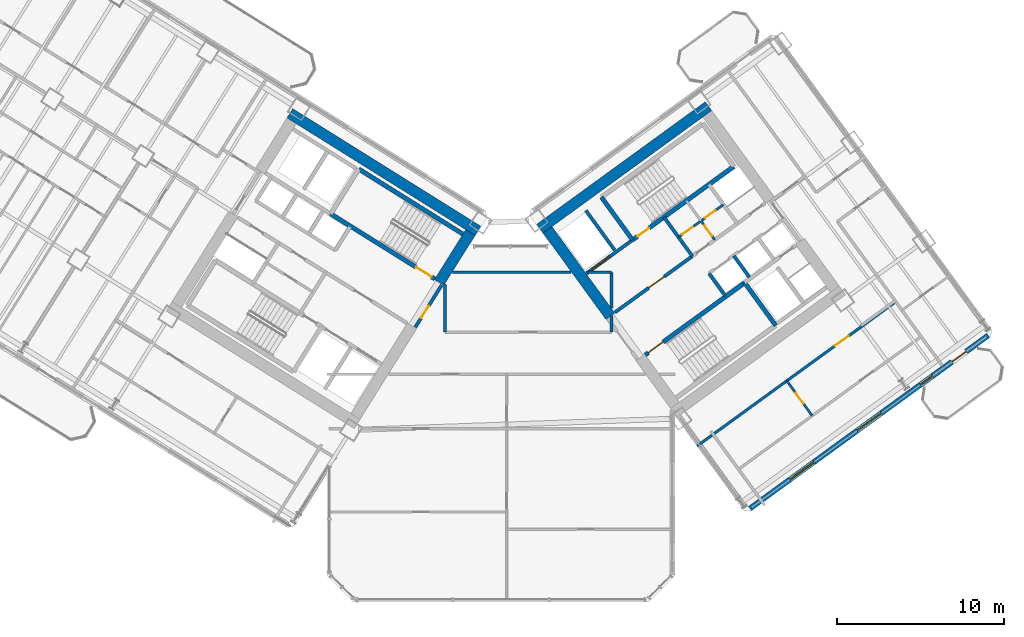
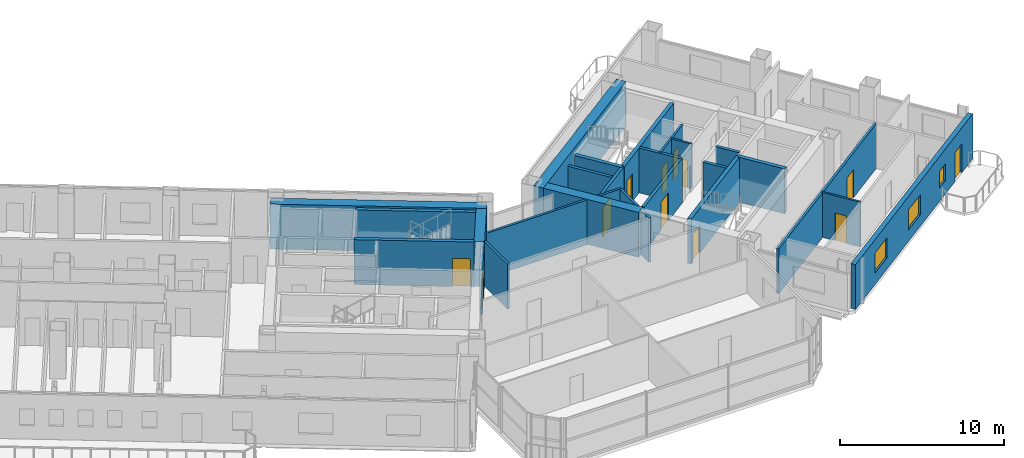
# One storey, part 18 of 28: 27 walls, 12 doors, 3 windows, 15 openings.
"""IFC4 building model written with IfcOpenShell, lengths in metres."""

from ifc_helpers import new_model, si_unit, direction, frame, frame_2d, origin, place, context, subcontext, project, spatial, rectangle, extrude, source, transform, mapped, material, layer, layer_set, type_object, element, fill, save


model = new_model("IFC4")

# Units and contexts
model_context = context("Model", 3, precision=1e-05, world=origin(), true_north=direction((0.0, 1.0)))
body_context = subcontext(model_context, "Body", "Model", "MODEL_VIEW")
ifc_project = project(units=[si_unit("LENGTHUNIT", "METRE"), si_unit("AREAUNIT", "SQUARE_METRE"), si_unit("VOLUMEUNIT", "CUBIC_METRE"), si_unit("PLANEANGLEUNIT", "RADIAN"), si_unit("MASSUNIT", "GRAM", prefix="KILO")], contexts=[model_context])

# Site, building, storey
site_placement = place(None, origin())
site = spatial("IfcSite", under=ifc_project, at=site_placement, CompositionType="ELEMENT")
building_placement = place(site_placement, origin())
building = spatial("IfcBuilding", under=site, at=building_placement, Name="Tlacorven Tower", CompositionType="ELEMENT")
storey_placement = place(building_placement, frame((0.0, 0.0, 63.60009765625)))
storey = spatial("IfcBuildingStorey", under=building, at=storey_placement, Name="L16", CompositionType="ELEMENT", Elevation=63.60009765625)

# Walls
ifc_material_1 = material(Name="Concrete C60/75", Category="concrete")
ifc_layer_1 = layer(ifc_material_1, 0.64990234375)
ifc_layer_set_1 = layer_set([ifc_layer_1], Name="Concrete C60/75")
wall_type_1 = type_object("IfcWallType", Name="WL-COR-650", PredefinedType="SHEAR", material=ifc_layer_set_1)
wall_1_placement = place(storey_placement, frame((40.615478515625, 23.9833984375, 0.0), z_axis=(0.0, 0.0, 1.0), x_axis=(-0.848045953968, 0.529922692436, 0.0)))
element("IfcWall", 1, at=wall_1_placement, inside=storey, type_object=wall_type_1, Name="L16 W core shear wall S1", PredefinedType="SHEAR", context=body_context, shape_type="SweptSolid", body=[
    extrude(rectangle(XDim=13.239990234375, YDim=0.64990234375, at=frame_2d((6.6201171875, 0.0))), origin(), (0.0, 0.0, 1.0), 3.349853515625),
])
wall_2_placement = place(storey_placement, frame((40.167724609375, 23.880126953125, 0.0), z_axis=(0.0, 0.0, 1.0), x_axis=(-0.529893103397, -0.8480644427, 0.0)))
element("IfcWall", 2, at=wall_2_placement, inside=storey, type_object=wall_type_1, Name="L16 W core end wall E1.1", PredefinedType="SHEAR", context=body_context, shape_type="SweptSolid", body=[
    extrude(rectangle(XDim=3.525146484375, YDim=0.64990234375, at=frame_2d((1.7626953125, 0.0))), origin(), (0.0, 0.0, 1.0), 3.349853515625),
])
wall_3_placement = place(storey_placement, frame((44.32470703125, 24.113037109375, 0.0), z_axis=(0.0, 0.0, 1.0), x_axis=(0.809012664862, 0.58779121131, 0.0)))
element("IfcWall", 3, at=wall_3_placement, inside=storey, type_object=wall_type_1, Name="L16 E core shear wall S2", PredefinedType="SHEAR", context=body_context, shape_type="SweptSolid", body=[
    extrude(rectangle(XDim=12.439697265625, YDim=0.64990234375, at=frame_2d((6.2197265625, 0.0))), origin(), (0.0, 0.0, 1.0), 3.349853515625),
])
wall_4_placement = place(storey_placement, frame((48.525634765625, 18.883544921875, 0.0), z_axis=(0.0, 0.0, 1.0), x_axis=(-0.58777996584, 0.809020835181, 0.0)))
element("IfcWall", 4, at=wall_4_placement, inside=storey, type_object=wall_type_1, Name="L16 E core end wall E1.2", PredefinedType="SHEAR", context=body_context, shape_type="SweptSolid", body=[
    extrude(rectangle(XDim=6.375, YDim=0.64990234375, at=frame_2d((3.1875, 0.0))), origin(), (0.0, 0.0, 1.0), 3.349853515625),
])
ifc_material_2 = material(Name="Gypsum plasterboard acoustic partition", Category="gypsum")
ifc_layer_2 = layer(ifc_material_2, 0.159912109375)
ifc_layer_set_2 = layer_set([ifc_layer_2], Name="Gypsum plasterboard acoustic partition")
wall_type_2 = type_object("IfcWallType", Name="WL-DEM-160", PredefinedType="PARTITIONING", material=ifc_layer_set_2)
wall_5_placement = place(storey_placement, frame((38.64990234375, 17.929931640625, 0.0), z_axis=(0.0, 0.0, 1.0), x_axis=(0.0, 1.0, 0.0)))
element("IfcWall", 5, at=wall_5_placement, inside=storey, type_object=wall_type_2, Name="L16 partition 80", PredefinedType="PARTITIONING", context=body_context, shape_type="SweptSolid", body=[
    extrude(rectangle(XDim=2.85693359375, YDim=0.159912109375, at=frame_2d((1.428466796875, 0.0))), origin(), (0.0, 0.0, 1.0), 3.33984375),
])
wall_6_placement = place(storey_placement, frame((48.60009765625, 17.929931640625, 0.0), z_axis=(0.0, 0.0, 1.0), x_axis=(0.0, 1.0, 0.0)))
element("IfcWall", 6, at=wall_6_placement, inside=storey, type_object=wall_type_2, Name="L16 partition 81", PredefinedType="PARTITIONING", context=body_context, shape_type="SweptSolid", body=[
    extrude(rectangle(XDim=0.99267578125, YDim=0.159912109375, at=frame_2d((0.496337890625, 0.0))), origin(), (0.0, 0.0, 1.0), 3.33984375),
])
wall_7_placement = place(storey_placement, frame((48.60009765625, 19.380126953125, 0.0), z_axis=(0.0, 0.0, 1.0), x_axis=(0.0, 1.0, 0.0)))
element("IfcWall", 7, at=wall_7_placement, inside=storey, type_object=wall_type_2, Name="L16 partition 81", PredefinedType="PARTITIONING", context=body_context, shape_type="SweptSolid", body=[
    extrude(rectangle(XDim=2.119873046875, YDim=0.159912109375, at=frame_2d((1.06005859375, 0.0))), origin(), (0.0, 0.0, 1.0), 3.33984375),
])
wall_8_placement = place(storey_placement, frame((39.095458984375, 21.5, 0.0), z_axis=(0.0, 0.0, 1.0), x_axis=(1.0, 0.0, 0.0)))
element("IfcWall", 8, at=wall_8_placement, inside=storey, type_object=wall_type_2, Name="L16 partition 82", PredefinedType="PARTITIONING", context=body_context, shape_type="SweptSolid", body=[
    extrude(rectangle(XDim=7.09423828125, YDim=0.159912109375, at=frame_2d((3.547119140625, 0.0))), origin(), (0.0, 0.0, 1.0), 3.33984375),
])
wall_9_placement = place(storey_placement, frame((47.059814453125, 21.5, 0.0), z_axis=(0.0, 0.0, 1.0), x_axis=(1.0, 0.0, 0.0)))
element("IfcWall", 9, at=wall_9_placement, inside=storey, type_object=wall_type_2, Name="L16 partition 82", PredefinedType="PARTITIONING", context=body_context, shape_type="SweptSolid", body=[
    extrude(rectangle(XDim=1.540283203125, YDim=0.159912109375, at=frame_2d((0.77001953125, 0.0))), origin(), (0.0, 0.0, 1.0), 3.33984375),
])

# Wall, opening, door
wall_10_placement = place(storey_placement, frame((53.70458984375, 11.1259765625, 0.0), z_axis=(0.0, 0.0, 1.0), x_axis=(0.809014504436, 0.587788679384, 0.0)))
wall_10 = element("IfcWall", 10, at=wall_10_placement, inside=storey, type_object=wall_type_2, Name="L16 partition 98", PredefinedType="PARTITIONING", context=body_context, shape_type="SweptSolid", body=[
    extrude(rectangle(XDim=14.669921875, YDim=0.159912109375, at=frame_2d((7.3349609375, 0.0))), origin(), (0.0, 0.0, 1.0), 3.33984375),
])
opening_1_placement = place(wall_10_placement, frame((10.199951171875, 0.0, 0.0)))
opening_1 = element("IfcOpeningElement", 11, at=opening_1_placement, cuts=wall_10, Name="Opening D11", PredefinedType="OPENING", context=body_context, shape_type="SweptSolid", body=[
    extrude(rectangle(XDim=1.0, YDim=2.10009765625, at=frame_2d((0.5, 1.050048828125))), frame((0.0, 0.08984375, 0.0), z_axis=(0.0, -1.0, 0.0), x_axis=(1.0, 0.0, 0.0)), (0.0, 0.0, 1.0), 0.179931640625),
])
ifc_material_3 = material(Name="Fire-rated steel door assembly", Category="steel")
door_type_1 = type_object("IfcDoorType", Name="DR-FLT-FD60-1000", OperationType="NOTDEFINED", PredefinedType="DOOR", material=ifc_material_3)
shared_shape_1 = source(origin(), body_context, "Body", "SweptSolid", [
    extrude(rectangle(XDim=1.0, YDim=2.10009765625, at=frame_2d((0.5, 1.050048828125))), frame((0.0, 0.02490234375, 0.0), z_axis=(0.0, -1.0, 0.0), x_axis=(1.0, 0.0, 0.0)), (0.0, 0.0, 1.0), 0.050048828125),
])
door_1_placement = place(opening_1_placement, origin())
door_1 = element("IfcDoor", 12, at=door_1_placement, inside=storey, type_object=door_type_1, Name="L16 door 059", OperationType="SINGLE_SWING_LEFT", OverallHeight=2.10009765625, OverallWidth=1.0, PredefinedType="DOOR", context=body_context, shape_type="MappedRepresentation", body=[
    mapped(shared_shape_1, transform((0.0, 0.0, 0.0), scale=1.0)),
])
fill(opening_1, door_1)

# Wall, openings, door, windows
ifc_material_4 = material(Name="Precast concrete C45/55", Category="concrete")
ifc_layer_3 = layer(ifc_material_4, 0.320068359375)
ifc_layer_set_3 = layer_set([ifc_layer_3], Name="Precast concrete C45/55")
wall_type_3 = type_object("IfcWallType", Name="WL-EXT-320", PredefinedType="STANDARD", material=ifc_layer_set_3)
wall_11_placement = place(storey_placement, frame((71.097900390625, 17.73095703125, 0.0), z_axis=(0.0, 0.0, 1.0), x_axis=(-0.809021120468, -0.587779573171, 0.0)))
wall_11 = element("IfcWall", 13, at=wall_11_placement, inside=storey, type_object=wall_type_3, Name="L16 Masonry-Frame Recessed Facade Wall 6", PredefinedType="STANDARD", context=body_context, shape_type="SweptSolid", body=[
    extrude(rectangle(XDim=17.587646484375, YDim=0.320068359375, at=frame_2d((8.7939453125, 0.0))), origin(), (0.0, 0.0, 1.0), 3.349853515625),
])
opening_2_placement = place(wall_11_placement, frame((1.623779296875, 0.0, 0.0)))
opening_2 = element("IfcOpeningElement", 14, at=opening_2_placement, cuts=wall_11, Name="Opening D06", PredefinedType="OPENING", context=body_context, shape_type="SweptSolid", body=[
    extrude(rectangle(XDim=1.050048828125, YDim=2.14990234375, at=frame_2d((0.52490234375, 1.074951171875))), frame((0.0, 0.169921875, 0.0), z_axis=(0.0, -1.0, 0.0), x_axis=(1.0, 0.0, 0.0)), (0.0, 0.0, 1.0), 0.340087890625),
])
opening_3_placement = place(wall_11_placement, frame((4.103759765625, 0.0, 1.0)))
opening_3 = element("IfcOpeningElement", 15, at=opening_3_placement, cuts=wall_11, Name="Opening WN05", PredefinedType="OPENING", context=body_context, shape_type="SweptSolid", body=[
    extrude(rectangle(XDim=0.89990234375, YDim=1.25, at=frame_2d((0.449951171875, 0.625))), frame((0.0, 0.169921875, 0.0), z_axis=(0.0, -1.0, 0.0), x_axis=(1.0, 0.0, 0.0)), (0.0, 0.0, 1.0), 0.340087890625),
])
opening_4_placement = place(wall_11_placement, frame((7.878662109375, 0.0, 0.85009765625)))
opening_4 = element("IfcOpeningElement", 16, at=opening_4_placement, cuts=wall_11, Name="Opening WN01", PredefinedType="OPENING", context=body_context, shape_type="SweptSolid", body=[
    extrude(rectangle(XDim=1.800048828125, YDim=1.5, at=frame_2d((0.89990234375, 0.75))), frame((0.0, 0.169921875, 0.0), z_axis=(0.0, -1.0, 0.0), x_axis=(1.0, 0.0, 0.0)), (0.0, 0.0, 1.0), 0.340087890625),
])
opening_5_placement = place(wall_11_placement, frame((12.8486328125, 0.0, 0.85009765625)))
opening_5 = element("IfcOpeningElement", 17, at=opening_5_placement, cuts=wall_11, Name="Opening WN01", PredefinedType="OPENING", context=body_context, shape_type="SweptSolid", body=[
    extrude(rectangle(XDim=1.800048828125, YDim=1.5, at=frame_2d((0.89990234375, 0.75))), frame((0.0, 0.169921875, 0.0), z_axis=(0.0, -1.0, 0.0), x_axis=(1.0, 0.0, 0.0)), (0.0, 0.0, 1.0), 0.340087890625),
])
ifc_material_5 = material(Name="Powder-coated aluminium and timber door", Category="wood")
door_type_2 = type_object("IfcDoorType", Name="DR-EXT-BALC-1050", OperationType="NOTDEFINED", PredefinedType="DOOR", material=ifc_material_5)
shared_shape_2 = source(origin(), body_context, "Body", "SweptSolid", [
    extrude(rectangle(XDim=1.050048828125, YDim=2.14990234375, at=frame_2d((0.52490234375, 1.074951171875))), frame((0.0, 0.02490234375, 0.0), z_axis=(0.0, -1.0, 0.0), x_axis=(1.0, 0.0, 0.0)), (0.0, 0.0, 1.0), 0.050048828125),
])
door_2_placement = place(opening_2_placement, origin())
door_2 = element("IfcDoor", 18, at=door_2_placement, inside=storey, type_object=door_type_2, Name="L16 Outdoor Access Door BAL-L16-E-OUT", OperationType="SINGLE_SWING_LEFT", OverallHeight=2.14990234375, OverallWidth=1.050048828125, PredefinedType="DOOR", context=body_context, shape_type="MappedRepresentation", body=[
    mapped(shared_shape_2, transform((0.0, 0.0, 0.0), scale=1.0)),
])
fill(opening_2, door_2)
ifc_material_6 = material(Name="Dark solar low-E double glazing in anodised aluminium frame", Category="aluminium")
window_type_1 = type_object("IfcWindowType", Name="WN-APT-1800X1650", PartitioningType="SINGLE_PANEL", PredefinedType="WINDOW", material=ifc_material_6)
shared_shape_3 = source(origin(), body_context, "Body", "SweptSolid", [
    extrude(rectangle(XDim=1.800048828125, YDim=1.5, at=frame_2d((0.89990234375, 0.75))), frame((0.0, 0.030029296875, 0.0), z_axis=(0.0, -1.0, 0.0), x_axis=(1.0, 0.0, 0.0)), (0.0, 0.0, 1.0), 0.06005859375),
])
window_1_placement = place(opening_4_placement, origin())
window_1 = element("IfcWindow", 19, at=window_1_placement, inside=storey, type_object=window_type_1, Name="L16 Recessed Masonry-Frame Window L16-06.2", OverallHeight=1.5, OverallWidth=1.800048828125, PartitioningType="SINGLE_PANEL", PredefinedType="WINDOW", context=body_context, shape_type="MappedRepresentation", body=[
    mapped(shared_shape_3, transform((0.0, 0.0, 0.0), scale=1.0)),
])
fill(opening_4, window_1)
window_2_placement = place(opening_5_placement, origin())
window_2 = element("IfcWindow", 20, at=window_2_placement, inside=storey, type_object=window_type_1, Name="L16 Recessed Masonry-Frame Window L16-06.3", OverallHeight=1.5, OverallWidth=1.800048828125, PartitioningType="SINGLE_PANEL", PredefinedType="WINDOW", context=body_context, shape_type="MappedRepresentation", body=[
    mapped(shared_shape_3, transform((0.0, 0.0, 0.0), scale=1.0)),
])
fill(opening_5, window_2)
window_type_2 = type_object("IfcWindowType", Name="WN-APT-0900X1350", PartitioningType="SINGLE_PANEL", PredefinedType="WINDOW", material=ifc_material_6)
shared_shape_4 = source(origin(), body_context, "Body", "SweptSolid", [
    extrude(rectangle(XDim=0.89990234375, YDim=1.25, at=frame_2d((0.449951171875, 0.625))), frame((0.0, 0.030029296875, 0.0), z_axis=(0.0, -1.0, 0.0), x_axis=(1.0, 0.0, 0.0)), (0.0, 0.0, 1.0), 0.06005859375),
])
window_3_placement = place(opening_3_placement, origin())
window_3 = element("IfcWindow", 21, at=window_3_placement, inside=storey, type_object=window_type_2, Name="L16 Recessed Masonry-Frame Window L16-06.1", OverallHeight=1.25, OverallWidth=0.89990234375, PartitioningType="SINGLE_PANEL", PredefinedType="WINDOW", context=body_context, shape_type="MappedRepresentation", body=[
    mapped(shared_shape_4, transform((0.0, 0.0, 0.0), scale=1.0)),
])
fill(opening_3, window_3)

# Wall, opening, door
ifc_material_7 = material(Name="Moisture-resistant gypsum plumbing wall", Category="gypsum")
ifc_layer_4 = layer(ifc_material_7, 0.139892578125)
ifc_layer_set_4 = layer_set([ifc_layer_4], Name="Moisture-resistant gypsum plumbing wall")
wall_type_4 = type_object("IfcWallType", Name="WL-PLM-140", PredefinedType="PLUMBINGWALL", material=ifc_layer_set_4)
wall_12_placement = place(storey_placement, frame((54.767578125, 23.443359375, 0.0), z_axis=(0.0, 0.0, 1.0), x_axis=(-0.587736077749, 0.809052719489, 0.0)))
wall_12 = element("IfcWall", 22, at=wall_12_placement, inside=storey, type_object=wall_type_4, Name="L16 partition 46", PredefinedType="PLUMBINGWALL", context=body_context, shape_type="SweptSolid", body=[
    extrude(rectangle(XDim=1.39990234375, YDim=0.139892578125, at=frame_2d((0.699951171875, 0.0))), origin(), (0.0, 0.0, 1.0), 3.33984375),
])
opening_6_placement = place(wall_12_placement, frame((0.280029296875, 0.0, 0.0)))
opening_6 = element("IfcOpeningElement", 23, at=opening_6_placement, cuts=wall_12, Name="Opening D22", PredefinedType="OPENING", context=body_context, shape_type="SweptSolid", body=[
    extrude(rectangle(XDim=0.780029296875, YDim=2.050048828125, at=frame_2d((0.39013671875, 1.02490234375))), frame((0.0, 0.080078125, 0.0), z_axis=(0.0, -1.0, 0.0), x_axis=(1.0, 0.0, 0.0)), (0.0, 0.0, 1.0), 0.159912109375),
])
door_type_3 = type_object("IfcDoorType", Name="DR-INT-WET-0780", OperationType="NOTDEFINED", PredefinedType="DOOR", material=ifc_material_5)
shared_shape_5 = source(origin(), body_context, "Body", "SweptSolid", [
    extrude(rectangle(XDim=0.780029296875, YDim=2.050048828125, at=frame_2d((0.39013671875, 1.02490234375))), frame((0.0, 0.02490234375, 0.0), z_axis=(0.0, -1.0, 0.0), x_axis=(1.0, 0.0, 0.0)), (0.0, 0.0, 1.0), 0.050048828125),
])
door_3_placement = place(opening_6_placement, origin())
door_3 = element("IfcDoor", 24, at=door_3_placement, inside=storey, type_object=door_type_3, Name="L16 door 019", OperationType="SINGLE_SWING_RIGHT", OverallHeight=2.050048828125, OverallWidth=0.780029296875, PredefinedType="DOOR", context=body_context, shape_type="MappedRepresentation", body=[
    mapped(shared_shape_5, transform((0.0, 0.0, 0.0), scale=1.0)),
])
fill(opening_6, door_3)

# Wall, openings, doors
wall_13_placement = place(storey_placement, frame((52.617919921875, 23.612060546875, 0.0), z_axis=(0.0, 0.0, 1.0), x_axis=(0.809009587469, 0.587795446889, 0.0)))
wall_13 = element("IfcWall", 25, at=wall_13_placement, inside=storey, type_object=wall_type_4, Name="L16 partition 48", PredefinedType="PLUMBINGWALL", context=body_context, shape_type="SweptSolid", body=[
    extrude(rectangle(XDim=3.280029296875, YDim=0.139892578125, at=frame_2d((1.64013671875, 0.0))), origin(), (0.0, 0.0, 1.0), 3.33984375),
])
opening_7_placement = place(wall_13_placement, frame((0.25, 0.0, 0.0)))
opening_7 = element("IfcOpeningElement", 26, at=opening_7_placement, cuts=wall_13, Name="Opening D22", PredefinedType="OPENING", context=body_context, shape_type="SweptSolid", body=[
    extrude(rectangle(XDim=0.780029296875, YDim=2.050048828125, at=frame_2d((0.39013671875, 1.02490234375))), frame((0.0, 0.080078125, 0.0), z_axis=(0.0, -1.0, 0.0), x_axis=(1.0, 0.0, 0.0)), (0.0, 0.0, 1.0), 0.159912109375),
])
opening_8_placement = place(wall_13_placement, frame((1.919921875, 0.0, 0.0)))
opening_8 = element("IfcOpeningElement", 27, at=opening_8_placement, cuts=wall_13, Name="Opening D22", PredefinedType="OPENING", context=body_context, shape_type="SweptSolid", body=[
    extrude(rectangle(XDim=0.780029296875, YDim=2.050048828125, at=frame_2d((0.39013671875, 1.02490234375))), frame((0.0, 0.080078125, 0.0), z_axis=(0.0, -1.0, 0.0), x_axis=(1.0, 0.0, 0.0)), (0.0, 0.0, 1.0), 0.159912109375),
])
door_4_placement = place(opening_7_placement, origin())
door_4 = element("IfcDoor", 28, at=door_4_placement, inside=storey, type_object=door_type_3, Name="L16 door 020", OperationType="SINGLE_SWING_LEFT", OverallHeight=2.050048828125, OverallWidth=0.780029296875, PredefinedType="DOOR", context=body_context, shape_type="MappedRepresentation", body=[
    mapped(shared_shape_5, transform((0.0, 0.0, 0.0), scale=1.0)),
])
fill(opening_7, door_4)
door_5_placement = place(opening_8_placement, origin())
door_5 = element("IfcDoor", 29, at=door_5_placement, inside=storey, type_object=door_type_3, Name="L16 door 021", OperationType="SINGLE_SWING_RIGHT", OverallHeight=2.050048828125, OverallWidth=0.780029296875, PredefinedType="DOOR", context=body_context, shape_type="MappedRepresentation", body=[
    mapped(shared_shape_5, transform((0.0, 0.0, 0.0), scale=1.0)),
])
fill(opening_8, door_5)

# Wall, opening, door
wall_14_placement = place(storey_placement, frame((60.584716796875, 12.935791015625, 0.0), z_axis=(0.0, 0.0, 1.0), x_axis=(-0.587772116736, 0.809026537752, 0.0)))
wall_14 = element("IfcWall", 30, at=wall_14_placement, inside=storey, type_object=wall_type_4, Name="L16 partition 101", PredefinedType="PLUMBINGWALL", context=body_context, shape_type="SweptSolid", body=[
    extrude(rectangle(XDim=2.579833984375, YDim=0.139892578125, at=frame_2d((1.2900390625, 0.0))), origin(), (0.0, 0.0, 1.0), 3.33984375),
])
opening_9_placement = place(wall_14_placement, frame((0.89990234375, 0.0, 0.0)))
opening_9 = element("IfcOpeningElement", 31, at=opening_9_placement, cuts=wall_14, Name="Opening D22", PredefinedType="OPENING", context=body_context, shape_type="SweptSolid", body=[
    extrude(rectangle(XDim=0.780029296875, YDim=2.050048828125, at=frame_2d((0.39013671875, 1.02490234375))), frame((0.0, 0.080078125, 0.0), z_axis=(0.0, -1.0, 0.0), x_axis=(1.0, 0.0, 0.0)), (0.0, 0.0, 1.0), 0.159912109375),
])
door_6_placement = place(opening_9_placement, origin())
door_6 = element("IfcDoor", 32, at=door_6_placement, inside=storey, type_object=door_type_3, Name="L16 door 061", OperationType="SINGLE_SWING_LEFT", OverallHeight=2.050048828125, OverallWidth=0.780029296875, PredefinedType="DOOR", context=body_context, shape_type="MappedRepresentation", body=[
    mapped(shared_shape_5, transform((0.0, 0.0, 0.0), scale=1.0)),
])
fill(opening_9, door_6)

ifc_material_8 = material(Name="Concrete C40/50", Category="concrete")
ifc_layer_5 = layer(ifc_material_8, 0.199951171875)
ifc_layer_set_5 = layer_set([ifc_layer_5], Name="Concrete C40/50")
wall_type_5 = type_object("IfcWallType", Name="WL-SHF-200", PredefinedType="STANDARD", material=ifc_layer_set_5)
wall_15_placement = place(storey_placement, frame((47.10595703125, 21.4365234375, 0.0), z_axis=(0.0, 0.0, 1.0), x_axis=(0.809012514015, 0.58779141893, 0.0)))
wall_15 = element("IfcWall", 33, at=wall_15_placement, inside=storey, type_object=wall_type_5, Name="L16 Core E Firefighting Lift Shaft Front Wall", PredefinedType="STANDARD", context=body_context, shape_type="SweptSolid", body=[
    extrude(rectangle(XDim=3.39794921875, YDim=0.199951171875, at=frame_2d((1.698974609375, 0.0))), origin(), (0.0, 0.0, 1.0), 3.33984375),
])
opening_10_placement = place(wall_15_placement, frame((0.407958984375, 0.0, 0.0)))
opening_10 = element("IfcOpeningElement", 34, at=opening_10_placement, cuts=wall_15, Name="Opening LD03", PredefinedType="OPENING", context=body_context, shape_type="SweptSolid", body=[
    extrude(rectangle(XDim=1.300048828125, YDim=2.199951171875, at=frame_2d((0.64990234375, 1.10009765625))), frame((0.0, 0.10986328125, 0.0), z_axis=(0.0, -1.0, 0.0), x_axis=(1.0, 0.0, 0.0)), (0.0, 0.0, 1.0), 0.219970703125),
])
door_type_4 = type_object("IfcDoorType", Name="DR-LFT-SLID-1300", OperationType="DOUBLE_DOOR_SLIDING", PredefinedType="DOOR", material=ifc_material_3)
shared_shape_6 = source(origin(), body_context, "Body", "SweptSolid", [
    extrude(rectangle(XDim=1.300048828125, YDim=2.199951171875, at=frame_2d((0.64990234375, 1.10009765625))), frame((0.0, 0.02490234375, 0.0), z_axis=(0.0, -1.0, 0.0), x_axis=(1.0, 0.0, 0.0)), (0.0, 0.0, 1.0), 0.050048828125),
])
door_7_placement = place(opening_10_placement, origin())
door_7 = element("IfcDoor", 35, at=door_7_placement, inside=storey, type_object=door_type_4, Name="L16 Lift FFL-E1 Sliding Landing Door", OperationType="DOUBLE_DOOR_SLIDING", OverallHeight=2.199951171875, OverallWidth=1.300048828125, PredefinedType="DOOR", context=body_context, shape_type="MappedRepresentation", body=[
    mapped(shared_shape_6, transform((0.0, 0.0, 0.0), scale=1.0)),
])
fill(opening_10, door_7)

wall_16_placement = place(storey_placement, frame((48.798828125, 19.106689453125, 0.0), z_axis=(0.0, 0.0, 1.0), x_axis=(0.809012959416, 0.587790805897, 0.0)))
wall_16 = element("IfcWall", 36, at=wall_16_placement, inside=storey, type_object=wall_type_5, Name="L16 Core E Smoke Lobby Wall", PredefinedType="STANDARD", context=body_context, shape_type="SweptSolid", body=[
    extrude(rectangle(XDim=5.7177734375, YDim=0.199951171875, at=frame_2d((2.85888671875, 0.0))), origin(), (0.0, 0.0, 1.0), 3.33984375),
])
opening_11_placement = place(wall_16_placement, frame((2.498046875, 0.0, 0.0)))
opening_11 = element("IfcOpeningElement", 37, at=opening_11_placement, cuts=wall_16, Name="Opening D09", PredefinedType="OPENING", context=body_context, shape_type="SweptSolid", body=[
    extrude(rectangle(XDim=1.14990234375, YDim=2.10009765625, at=frame_2d((0.574951171875, 1.050048828125))), frame((0.0, 0.10986328125, 0.0), z_axis=(0.0, -1.0, 0.0), x_axis=(1.0, 0.0, 0.0)), (0.0, 0.0, 1.0), 0.219970703125),
])
door_type_5 = type_object("IfcDoorType", Name="DR-FFL-FD60-1150", OperationType="NOTDEFINED", PredefinedType="DOOR", material=ifc_material_3)
shared_shape_7 = source(origin(), body_context, "Body", "SweptSolid", [
    extrude(rectangle(XDim=1.14990234375, YDim=2.10009765625, at=frame_2d((0.574951171875, 1.050048828125))), frame((0.0, 0.02490234375, 0.0), z_axis=(0.0, -1.0, 0.0), x_axis=(1.0, 0.0, 0.0)), (0.0, 0.0, 1.0), 0.050048828125),
])
door_8_placement = place(opening_11_placement, origin())
door_8 = element("IfcDoor", 38, at=door_8_placement, inside=storey, type_object=door_type_5, Name="L16 Firefighting Lobby E Fire Door", OperationType="SINGLE_SWING_RIGHT", OverallHeight=2.10009765625, OverallWidth=1.14990234375, PredefinedType="DOOR", context=body_context, shape_type="MappedRepresentation", body=[
    mapped(shared_shape_7, transform((0.0, 0.0, 0.0), scale=1.0)),
])
fill(opening_11, door_8)

# Walls
wall_17_placement = place(storey_placement, frame((55.390869140625, 20.1015625, 0.0), z_axis=(0.0, 0.0, 1.0), x_axis=(-0.58778447739, 0.809017557374, 0.0)))
element("IfcWall", 39, at=wall_17_placement, inside=storey, type_object=wall_type_5, Name="L16 partition 35", PredefinedType="STANDARD", context=body_context, shape_type="SweptSolid", body=[
    extrude(rectangle(XDim=1.64990234375, YDim=0.199951171875, at=frame_2d((0.824951171875, 0.0))), origin(), (0.0, 0.0, 1.0), 3.33984375),
])
wall_18_placement = place(storey_placement, frame((48.78564453125, 22.830078125, 0.0), z_axis=(0.0, 0.0, 1.0), x_axis=(-0.587783856777, 0.809018008275, 0.0)))
element("IfcWall", 40, at=wall_18_placement, inside=storey, type_object=wall_type_5, Name="L16 partition 36", PredefinedType="STANDARD", context=body_context, shape_type="SweptSolid", body=[
    extrude(rectangle(XDim=2.919921875, YDim=0.199951171875, at=frame_2d((1.4599609375, 0.0))), origin(), (0.0, 0.0, 1.0), 3.33984375),
])
wall_19_placement = place(storey_placement, frame((56.833984375, 21.211669921875, 0.0), z_axis=(0.0, 0.0, 1.0), x_axis=(-0.58776738483, 0.809029975545, 0.0)))
element("IfcWall", 41, at=wall_19_placement, inside=storey, type_object=wall_type_5, Name="L16 partition 37", PredefinedType="STANDARD", context=body_context, shape_type="SweptSolid", body=[
    extrude(rectangle(XDim=1.580078125, YDim=0.199951171875, at=frame_2d((0.7900390625, 0.0))), origin(), (0.0, 0.0, 1.0), 3.33984375),
])
wall_20_placement = place(storey_placement, frame((53.424560546875, 22.467529296875, 0.0), z_axis=(0.0, 0.0, 1.0), x_axis=(-0.5877230039, 0.809062216821, 0.0)))
element("IfcWall", 42, at=wall_20_placement, inside=storey, type_object=wall_type_5, Name="L16 partition 43", PredefinedType="STANDARD", context=body_context, shape_type="SweptSolid", body=[
    extrude(rectangle(XDim=2.8798828125, YDim=0.199951171875, at=frame_2d((1.43994140625, 0.0))), origin(), (0.0, 0.0, 1.0), 3.33984375),
])

# Wall, opening, door
wall_21_placement = place(storey_placement, frame((38.451416015625, 20.737060546875, 0.0), z_axis=(0.0, 0.0, 1.0), x_axis=(-0.529924799939, -0.848044637038, 0.0)))
wall_21 = element("IfcWall", 43, at=wall_21_placement, inside=storey, type_object=wall_type_5, Name="L16 partition 77", PredefinedType="STANDARD", context=body_context, shape_type="SweptSolid", body=[
    extrude(rectangle(XDim=2.9599609375, YDim=0.199951171875, at=frame_2d((1.47998046875, 0.0))), origin(), (0.0, 0.0, 1.0), 3.33984375),
])
opening_12_placement = place(wall_21_placement, frame((1.4599609375, 0.0, 0.0)))
opening_12 = element("IfcOpeningElement", 44, at=opening_12_placement, cuts=wall_21, Name="Opening D19", PredefinedType="OPENING", context=body_context, shape_type="SweptSolid", body=[
    extrude(rectangle(XDim=0.860107421875, YDim=2.050048828125, at=frame_2d((0.43017578125, 1.02490234375))), frame((0.0, 0.10986328125, 0.0), z_axis=(0.0, -1.0, 0.0), x_axis=(1.0, 0.0, 0.0)), (0.0, 0.0, 1.0), 0.219970703125),
])
door_type_6 = type_object("IfcDoorType", Name="DR-RSR-FD60-0860", OperationType="NOTDEFINED", PredefinedType="DOOR", material=ifc_material_3)
shared_shape_8 = source(origin(), body_context, "Body", "SweptSolid", [
    extrude(rectangle(XDim=0.860107421875, YDim=2.050048828125, at=frame_2d((0.43017578125, 1.02490234375))), frame((0.0, 0.02490234375, 0.0), z_axis=(0.0, -1.0, 0.0), x_axis=(1.0, 0.0, 0.0)), (0.0, 0.0, 1.0), 0.050048828125),
])
door_9_placement = place(opening_12_placement, frame((0.860107421875, 0.0, 0.0), z_axis=(0.0, 0.0, 1.0), x_axis=(-1.0, 0.0, 0.0)))
door_9 = element("IfcDoor", 45, at=door_9_placement, inside=storey, type_object=door_type_6, Name="L16 door 046", OperationType="SINGLE_SWING_LEFT", OverallHeight=2.050048828125, OverallWidth=0.860107421875, PredefinedType="DOOR", context=body_context, shape_type="MappedRepresentation", body=[
    mapped(shared_shape_8, transform((0.0, 0.0, 0.0), scale=1.0)),
])
fill(opening_12, door_9)

# Wall
ifc_material_9 = material(Name="Concrete C50/60", Category="concrete")
ifc_layer_6 = layer(ifc_material_9, 0.260009765625)
ifc_layer_set_6 = layer_set([ifc_layer_6], Name="Concrete C50/60")
wall_type_6 = type_object("IfcWallType", Name="WL-STW-260", PredefinedType="SHEAR", material=ifc_layer_set_6)
wall_22_placement = place(storey_placement, frame((39.720947265625, 23.787841796875, 0.0), z_axis=(0.0, 0.0, 1.0), x_axis=(-0.848054434086, 0.529909121291, 0.0)))
element("IfcWall", 46, at=wall_22_placement, inside=storey, type_object=wall_type_6, Name="L16 Stair W2 Far Shear Wall", PredefinedType="SHEAR", context=body_context, shape_type="SweptSolid", body=[
    extrude(rectangle(XDim=7.330078125, YDim=0.260009765625, at=frame_2d((3.6650390625, 0.0))), origin(), (0.0, 0.0, 1.0), 3.349853515625),
])

# Wall, opening, door
wall_23_placement = place(storey_placement, frame((38.04638671875, 21.10791015625, 0.0), z_axis=(0.0, 0.0, 1.0), x_axis=(-0.848054434086, 0.529909121291, 0.0)))
wall_23 = element("IfcWall", 47, at=wall_23_placement, inside=storey, type_object=wall_type_6, Name="L16 Stair W2 Lobby Shear Wall", PredefinedType="SHEAR", context=body_context, shape_type="SweptSolid", body=[
    extrude(rectangle(XDim=7.330078125, YDim=0.260009765625, at=frame_2d((3.6650390625, 0.0))), origin(), (0.0, 0.0, 1.0), 3.349853515625),
])
opening_13_placement = place(wall_23_placement, frame((0.219970703125, 0.0, 0.0)))
opening_13 = element("IfcOpeningElement", 48, at=opening_13_placement, cuts=wall_23, Name="Opening D07", PredefinedType="OPENING", context=body_context, shape_type="SweptSolid", body=[
    extrude(rectangle(XDim=1.10009765625, YDim=2.10009765625, at=frame_2d((0.550048828125, 1.050048828125))), frame((0.0, 0.14013671875, 0.0), z_axis=(0.0, -1.0, 0.0), x_axis=(1.0, 0.0, 0.0)), (0.0, 0.0, 1.0), 0.280029296875),
])
door_type_7 = type_object("IfcDoorType", Name="DR-STR-FD90-1100", OperationType="NOTDEFINED", PredefinedType="DOOR", material=ifc_material_3)
shared_shape_9 = source(origin(), body_context, "Body", "SweptSolid", [
    extrude(rectangle(XDim=1.10009765625, YDim=2.10009765625, at=frame_2d((0.550048828125, 1.050048828125))), frame((0.0, 0.02490234375, 0.0), z_axis=(0.0, -1.0, 0.0), x_axis=(1.0, 0.0, 0.0)), (0.0, 0.0, 1.0), 0.050048828125),
])
door_10_placement = place(opening_13_placement, origin())
door_10 = element("IfcDoor", 49, at=door_10_placement, inside=storey, type_object=door_type_7, Name="L16 Exit Stair W2 Fire Door", OperationType="SINGLE_SWING_LEFT", OverallHeight=2.10009765625, OverallWidth=1.10009765625, PredefinedType="DOOR", context=body_context, shape_type="MappedRepresentation", body=[
    mapped(shared_shape_9, transform((0.0, 0.0, 0.0), scale=1.0)),
])
fill(opening_13, door_10)

wall_24_placement = place(storey_placement, frame((49.863037109375, 23.439697265625, 0.0), z_axis=(0.0, 0.0, 1.0), x_axis=(0.809003474932, 0.587803859759, 0.0)))
wall_24 = element("IfcWall", 50, at=wall_24_placement, inside=storey, type_object=wall_type_6, Name="L16 Stair E1 Lobby Shear Wall", PredefinedType="SHEAR", context=body_context, shape_type="SweptSolid", body=[
    extrude(rectangle(XDim=7.4599609375, YDim=0.260009765625, at=frame_2d((3.72998046875, 0.0))), origin(), (0.0, 0.0, 1.0), 3.349853515625),
])
opening_14_placement = place(wall_24_placement, frame((0.360107421875, 0.0, 0.0)))
opening_14 = element("IfcOpeningElement", 51, at=opening_14_placement, cuts=wall_24, Name="Opening D19", PredefinedType="OPENING", context=body_context, shape_type="SweptSolid", body=[
    extrude(rectangle(XDim=0.860107421875, YDim=2.050048828125, at=frame_2d((0.43017578125, 1.02490234375))), frame((0.0, 0.14013671875, 0.0), z_axis=(0.0, -1.0, 0.0), x_axis=(1.0, 0.0, 0.0)), (0.0, 0.0, 1.0), 0.280029296875),
])
door_11_placement = place(opening_14_placement, frame((0.860107421875, 0.0, 0.0), z_axis=(0.0, 0.0, 1.0), x_axis=(-1.0, 0.0, 0.0)))
door_11 = element("IfcDoor", 52, at=door_11_placement, inside=storey, type_object=door_type_6, Name="L16 Exit Stair E1 Fire Door", OperationType="SINGLE_SWING_LEFT", OverallHeight=2.050048828125, OverallWidth=0.860107421875, PredefinedType="DOOR", context=body_context, shape_type="MappedRepresentation", body=[
    mapped(shared_shape_8, transform((0.0, 0.0, 0.0), scale=1.0)),
])
fill(opening_14, door_11)

# Wall
wall_25_placement = place(storey_placement, frame((49.85498046875, 23.433837890625, 0.0), z_axis=(0.0, 0.0, 1.0), x_axis=(-0.58776738483, 0.809029975545, 0.0)))
element("IfcWall", 53, at=wall_25_placement, inside=storey, type_object=wall_type_6, Name="L16 Stair E1 West Shear Wall", PredefinedType="SHEAR", context=body_context, shape_type="SweptSolid", body=[
    extrude(rectangle(XDim=3.16015625, YDim=0.260009765625, at=frame_2d((1.580078125, 0.0))), origin(), (0.0, 0.0, 1.0), 3.349853515625),
])

# Wall, opening, door
wall_26_placement = place(storey_placement, frame((50.61474609375, 16.569580078125, 0.0), z_axis=(0.0, 0.0, 1.0), x_axis=(0.809028366311, 0.587769599847, 0.0)))
wall_26 = element("IfcWall", 54, at=wall_26_placement, inside=storey, type_object=wall_type_6, Name="L16 Stair E2 Lobby Shear Wall", PredefinedType="SHEAR", context=body_context, shape_type="SweptSolid", body=[
    extrude(rectangle(XDim=7.330078125, YDim=0.260009765625, at=frame_2d((3.6650390625, 0.0))), origin(), (0.0, 0.0, 1.0), 3.349853515625),
])
opening_15_placement = place(wall_26_placement, frame((0.219970703125, 0.0, 0.0)))
opening_15 = element("IfcOpeningElement", 55, at=opening_15_placement, cuts=wall_26, Name="Opening D07", PredefinedType="OPENING", context=body_context, shape_type="SweptSolid", body=[
    extrude(rectangle(XDim=1.10009765625, YDim=2.10009765625, at=frame_2d((0.550048828125, 1.050048828125))), frame((0.0, 0.14013671875, 0.0), z_axis=(0.0, -1.0, 0.0), x_axis=(1.0, 0.0, 0.0)), (0.0, 0.0, 1.0), 0.280029296875),
])
door_12_placement = place(opening_15_placement, origin())
door_12 = element("IfcDoor", 56, at=door_12_placement, inside=storey, type_object=door_type_7, Name="L16 Exit Stair E2 Fire Door", OperationType="SINGLE_SWING_LEFT", OverallHeight=2.10009765625, OverallWidth=1.10009765625, PredefinedType="DOOR", context=body_context, shape_type="MappedRepresentation", body=[
    mapped(shared_shape_9, transform((0.0, 0.0, 0.0), scale=1.0)),
])
fill(opening_15, door_12)

# Wall
wall_27_placement = place(storey_placement, frame((58.410400390625, 18.327392578125, 0.0), z_axis=(0.0, 0.0, 1.0), x_axis=(-0.58776738483, 0.809029975545, 0.0)))
element("IfcWall", 57, at=wall_27_placement, inside=storey, type_object=wall_type_6, Name="L16 Stair E2 East Shear Wall", PredefinedType="SHEAR", context=body_context, shape_type="SweptSolid", body=[
    extrude(rectangle(XDim=3.16015625, YDim=0.260009765625, at=frame_2d((1.580078125, 0.0))), origin(), (0.0, 0.0, 1.0), 3.349853515625),
])

save(model, "model.ifc")
